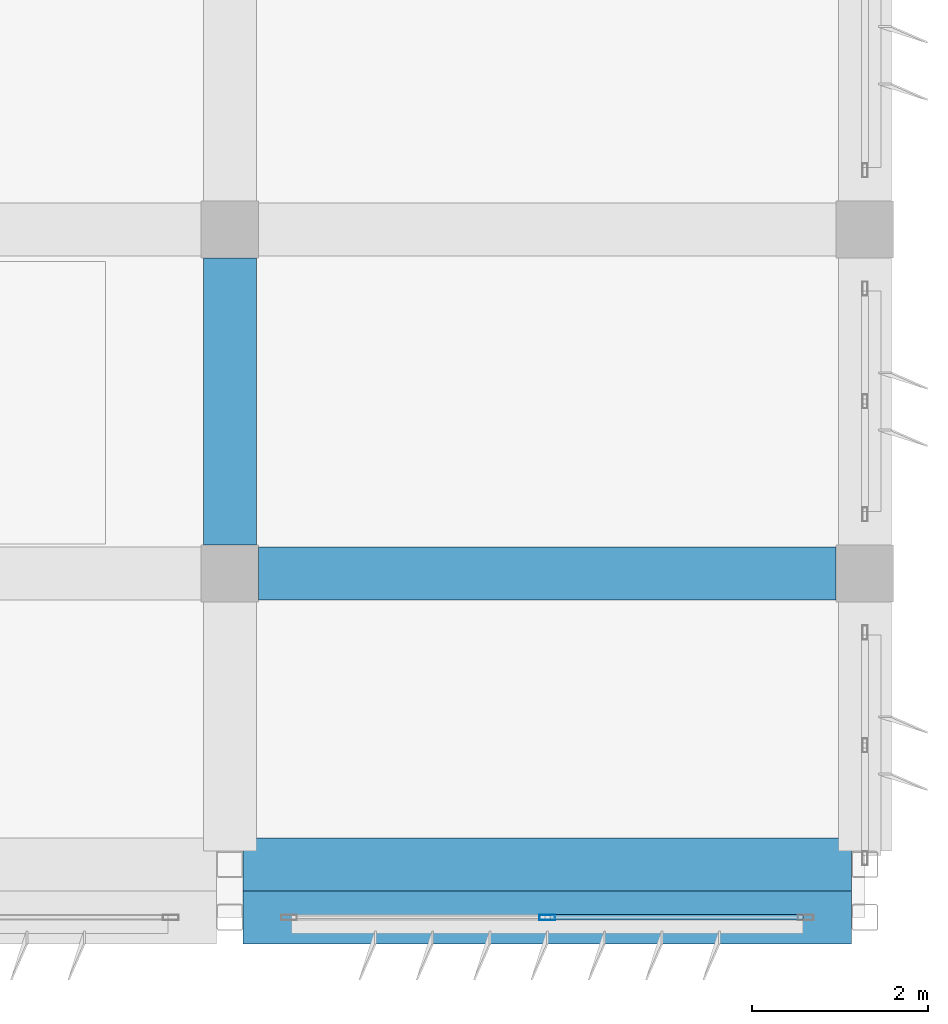
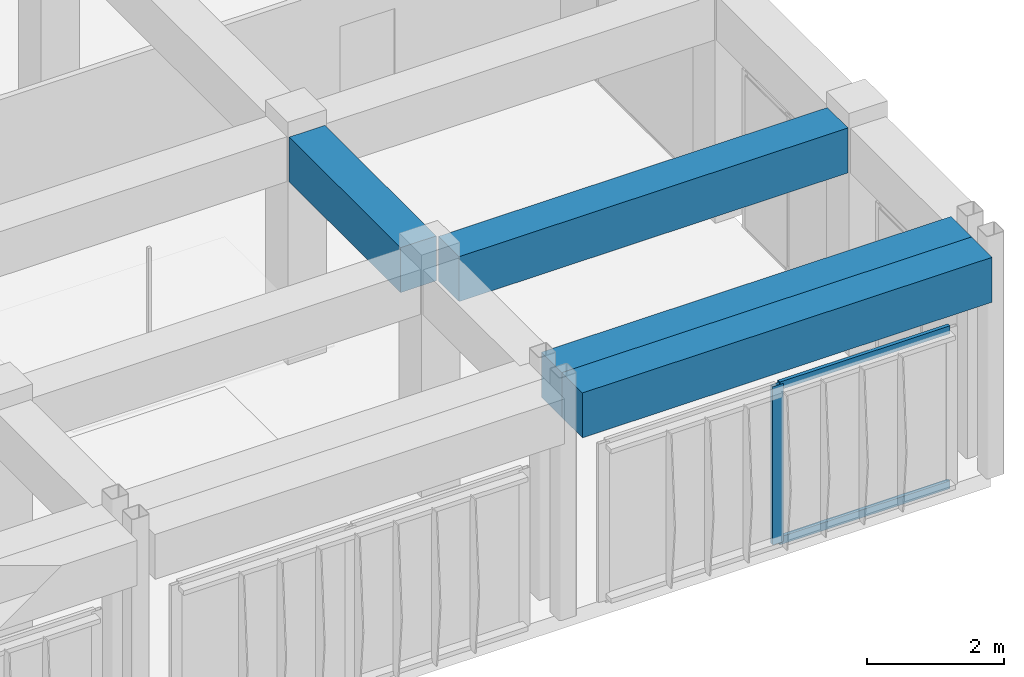
# One storey, part 21 of 53: 4 beams, 3 members, 1 element without a shape of its own.
"""IFC4 building model written with IfcOpenShell, lengths in metres."""

from ifc_helpers import new_model, si_unit, direction, frame, origin, origin_2d, place, context, subcontext, project, spatial, rectangle, hollow_rectangle, extrude, material, material_profile, profile_set, type_object, element, aggregate, save


model = new_model("IFC4")

# Units and contexts
model_context = context("Model", 3, precision=1e-05, world=origin(), true_north=direction((0.0, 1.0)))
body_context = subcontext(model_context, "Body", "Model", "MODEL_VIEW")
ifc_project = project(units=[si_unit("LENGTHUNIT", "METRE"), si_unit("AREAUNIT", "SQUARE_METRE"), si_unit("VOLUMEUNIT", "CUBIC_METRE"), si_unit("PLANEANGLEUNIT", "RADIAN"), si_unit("MASSUNIT", "GRAM", prefix="KILO")], contexts=[model_context])

# Site, building, storey
site_placement = place(None, origin())
site = spatial("IfcSite", under=ifc_project, at=site_placement, CompositionType="ELEMENT")
building_placement = place(site_placement, origin())
building = spatial("IfcBuilding", under=site, at=building_placement, Name="Kazehaya Institute of Natural Sciences", CompositionType="ELEMENT")
storey_placement = place(building_placement, frame((0.0, 0.0, 33.300048828125)))
storey = spatial("IfcBuildingStorey", under=building, at=storey_placement, Name="L07", CompositionType="ELEMENT", Elevation=33.300048828125)

# Beams
ifc_material_1 = material(Name="Concrete Fc36", Category="concrete")
ifc_material_profile_1 = material_profile(ifc_material_1, rectangle(XDim=0.60009765625, YDim=0.800048828125, at=origin_2d()), Name="RC-600x800")
ifc_profile_set_1 = profile_set([ifc_material_profile_1], Name="Concrete Fc36")
beam_type = type_object("IfcBeamType", Name="BM-G-600x800", PredefinedType="BEAM", material=ifc_profile_set_1)
for number, where, z_axis, x_axis, name in (
    (1, (112.35009765625, 6.199951171875, 3.64990234375), (1.0, 0.0, 0.0), (0.0, 1.0, 0.0), "L07 primary X girder BMX-L07-1122-62"),
    (2, (112.35009765625, 6.800048828125, 3.64990234375), (1.0, 0.0, 0.0), (0.0, 1.0, 0.0), "L07 primary X girder BMX-L07-1122-68"),
):
    element("IfcBeam", number, at=place(storey_placement, frame(where, z_axis=z_axis, x_axis=x_axis)), inside=storey, type_object=beam_type, Name=name, PredefinedType="BEAM", context=body_context, shape_type="SweptSolid", body=[
        extrude(rectangle(XDim=0.60009765625, YDim=0.800048828125, at=origin_2d()), origin(), (0.0, 0.0, 1.0), 6.89990234375),
    ])
beam_1_placement = place(storey_placement, frame((112.52490234375, 10.10009765625, 3.64990234375), z_axis=(1.0, 0.0, 0.0), x_axis=(0.0, 1.0, 0.0)))
element("IfcBeam", 3, at=beam_1_placement, inside=storey, type_object=beam_type, Name="L07 primary X girder BMX-L07-1122-101", PredefinedType="BEAM", context=body_context, shape_type="SweptSolid", body=[
    extrude(rectangle(XDim=0.60009765625, YDim=0.800048828125, at=origin_2d()), origin(), (0.0, 0.0, 1.0), 6.550048828125),
])
beam_2_placement = place(storey_placement, frame((112.199951171875, 10.425048828125, 3.64990234375), z_axis=(0.0, 1.0, 0.0), x_axis=(-1.0, 0.0, 0.0)))
element("IfcBeam", 4, at=beam_2_placement, inside=storey, type_object=beam_type, Name="L07 primary Y girder BMY-L07-1122-101", PredefinedType="BEAM", context=body_context, shape_type="SweptSolid", body=[
    extrude(rectangle(XDim=0.60009765625, YDim=0.800048828125, at=origin_2d()), origin(), (0.0, 0.0, 1.0), 3.25),
])

# Curtain wall, members
ifc_material_2 = material(Name="Aluminium alloy A6063S-T5", Category="aluminium")
curtain_wall_type = type_object("IfcCurtainWallType", Name="CW-SYS-05", PredefinedType="NOTDEFINED", material=ifc_material_2)
curtain_wall_placement = place(storey_placement, origin())
curtain_wall = element("IfcCurtainWall", 5, at=curtain_wall_placement, inside=storey, type_object=curtain_wall_type, Name="L07 unitised curtain wall CW-L07-148", PredefinedType="NOTDEFINED")
ifc_material_profile_2 = material_profile(ifc_material_2, hollow_rectangle(XDim=0.06005859375, YDim=0.179931640625, WallThickness=0.00390625, at=origin_2d()), Name="ALU-60x180x4")
ifc_profile_set_2 = profile_set([ifc_material_profile_2], Name="Aluminium alloy A6063S-T5")
member_type_1 = type_object("IfcMemberType", Name="CWM-180", PredefinedType="MULLION", material=ifc_profile_set_2)
member_1_placement = place(storey_placement, frame((115.800048828125, 6.199951171875, 0.0), z_axis=(0.0, 0.0, 1.0), x_axis=(0.0, -1.0, 0.0)))
member_1 = element("IfcMember", 6, at=member_1_placement, type_object=member_type_1, Name="CW05 mullion 2", PredefinedType="MULLION", context=body_context, shape_type="SweptSolid", body=[
    extrude(hollow_rectangle(XDim=0.06005859375, YDim=0.179931640625, WallThickness=0.00390625, at=origin_2d()), origin(), (0.0, 0.0, 1.0), 2.820068359375),
])
ifc_material_profile_3 = material_profile(ifc_material_2, hollow_rectangle(XDim=0.06005859375, YDim=0.139892578125, WallThickness=0.00341796875, at=origin_2d()), Name="ALU-60x140x3.5")
ifc_profile_set_3 = profile_set([ifc_material_profile_3], Name="Aluminium alloy A6063S-T5")
member_type_2 = type_object("IfcMemberType", Name="CWT-140", PredefinedType="USERDEFINED", material=ifc_profile_set_3)
member_2_placement = place(storey_placement, frame((118.699951171875, 6.199951171875, 0.030029296875), z_axis=(-1.0, 0.0, 0.0), x_axis=(0.0, -1.0, 0.0)))
member_2 = element("IfcMember", 7, at=member_2_placement, type_object=member_type_2, Name="CW05 transom 1.1", ObjectType="TRANSOM", PredefinedType="USERDEFINED", context=body_context, shape_type="SweptSolid", body=[
    extrude(hollow_rectangle(XDim=0.06005859375, YDim=0.139892578125, WallThickness=0.00341796875, at=origin_2d()), origin(), (0.0, 0.0, 1.0), 2.869873046875),
])
member_3_placement = place(storey_placement, frame((118.699951171875, 6.199951171875, 2.7900390625), z_axis=(-1.0, 0.0, 0.0), x_axis=(0.0, -1.0, 0.0)))
member_3 = element("IfcMember", 8, at=member_3_placement, type_object=member_type_2, Name="CW05 transom 1.2", ObjectType="TRANSOM", PredefinedType="USERDEFINED", context=body_context, shape_type="SweptSolid", body=[
    extrude(hollow_rectangle(XDim=0.06005859375, YDim=0.139892578125, WallThickness=0.00341796875, at=origin_2d()), origin(), (0.0, 0.0, 1.0), 2.869873046875),
])
aggregate(curtain_wall, [member_1, member_2, member_3])

save(model, "model.ifc")
